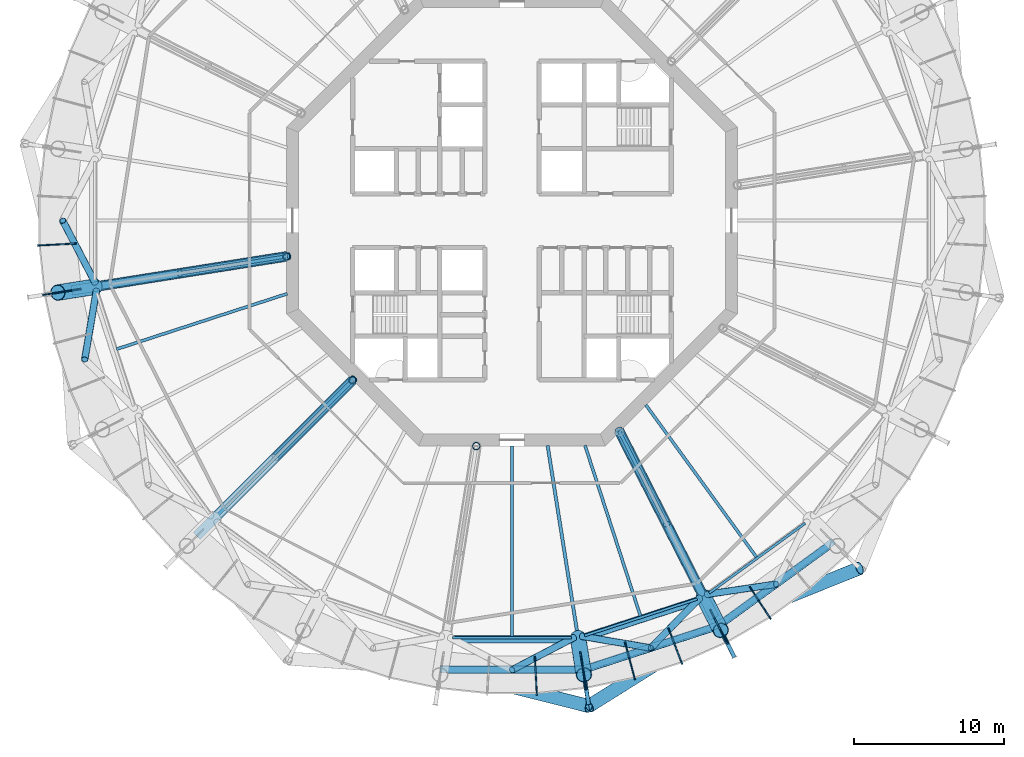
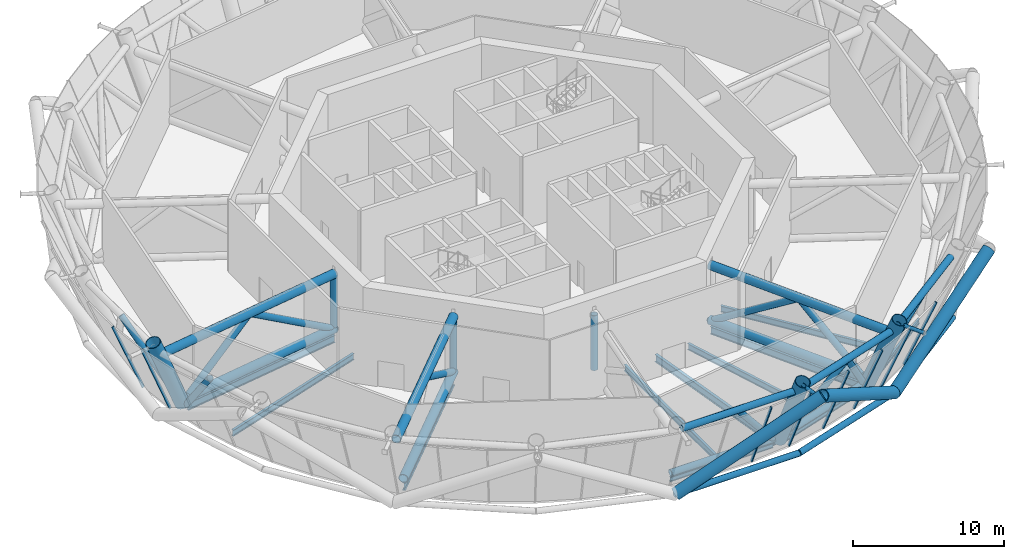
# One storey, part 2 of 20: 44 members, 11 beams, 5 elements without a shape of their own.
"""IFC4 building model written with IfcOpenShell, lengths in metres."""

import ifcopenshell
import ifcopenshell.guid

model = None  # the IFC model being written
_history = None  # IfcOwnerHistory: only IFC2X3 demands one
_inside = {}  # id of a spatial element -> (the spatial element, [elements in it])
_under = {}  # id of a project, library or spatial element -> (it, [spatial elements below it])
_declared = {}  # id of a project -> (the project, [libraries it declares])
_typed = {}  # id of a type object -> (the type object, [elements of that type])
_made_of = {}  # id of a material, layer set ... -> (it, [elements and type objects made of it])


def new_model(schema):
    """Start an empty IFC model of exactly this schema.

    Asked for "IFC4X3", IfcOpenShell would pick the latest addendum, in which some entities
    have other attributes; the version numbers below select the first issue.
    IFC2X3 requires an IfcOwnerHistory on every rooted entity: one is made here for all.
    """
    global model, _history
    if schema == "IFC4X3":
        model = ifcopenshell.file(schema_version=(4, 3, 0, 0))
    else:
        model = ifcopenshell.file(schema=schema)
    _inside.clear()
    _under.clear()
    _declared.clear()
    _typed.clear()
    _made_of.clear()
    _history = None
    if model.schema == "IFC2X3":
        org = make("IfcOrganization", Name="unknown")
        user = make(
            "IfcPersonAndOrganization",
            ThePerson=make("IfcPerson", FamilyName="unknown"),
            TheOrganization=org,
        )
        app = make(
            "IfcApplication",
            ApplicationDeveloper=org,
            Version="unknown",
            ApplicationFullName="unknown",
            ApplicationIdentifier="unknown",
        )
        _history = make(
            "IfcOwnerHistory",
            OwningUser=user,
            OwningApplication=app,
            ChangeAction="ADDED",
            CreationDate=0,
        )
    return model


def make(cls, **values):
    """One entity of the class cls with the attributes given. An attribute that is None is left unset."""
    return model.create_entity(
        cls, **{name: value for name, value in values.items() if value is not None}
    )


def rooted(cls, **values):
    """An entity with a GlobalId (a new one), such as an element, a storey or a relation."""
    return make(cls, GlobalId=ifcopenshell.guid.new(), OwnerHistory=_history, **values)


def si_unit(unit_type, name, prefix=None):
    """IfcSIUnit, for example si_unit("LENGTHUNIT", "METRE", prefix="MILLI")."""
    return make("IfcSIUnit", UnitType=unit_type, Prefix=prefix, Name=name)


def assignment(units):
    """IfcUnitAssignment: the units of a project."""
    return None if units is None else make("IfcUnitAssignment", Units=units)


def point(xyz):
    """IfcCartesianPoint."""
    return None if xyz is None else make("IfcCartesianPoint", Coordinates=xyz)


def direction(xyz):
    """IfcDirection."""
    return None if xyz is None else make("IfcDirection", DirectionRatios=xyz)


def frame(location, z_axis=None, x_axis=None):
    """IfcAxis2Placement3D, a coordinate frame: its origin and axes. An axis left out is left unset."""
    return make(
        "IfcAxis2Placement3D",
        Location=point(location),
        Axis=direction(z_axis),
        RefDirection=direction(x_axis),
    )


def frame_2d(location, x_axis=None):
    """IfcAxis2Placement2D, a coordinate frame in the plane: its origin and x axis."""
    return make(
        "IfcAxis2Placement2D", Location=point(location), RefDirection=direction(x_axis)
    )


def origin():
    """The frame at (0, 0, 0) with its axes left unset."""
    return frame((0.0, 0.0, 0.0))


def origin_2d():
    """The frame at (0, 0) in the plane with its x axis left unset."""
    return frame_2d((0.0, 0.0))


def place(relative_to, where):
    """IfcLocalPlacement: puts the frame where relative to a parent placement (None: the world)."""
    return make(
        "IfcLocalPlacement", PlacementRelTo=relative_to, RelativePlacement=where
    )


def context(
    kind, dimensions, precision=None, world=None, true_north=None, identifier=None
):
    """IfcGeometricRepresentationContext, for example the 3D "Model" context."""
    return make(
        "IfcGeometricRepresentationContext",
        ContextIdentifier=identifier,
        ContextType=kind,
        CoordinateSpaceDimension=dimensions,
        Precision=precision,
        WorldCoordinateSystem=world,
        TrueNorth=true_north,
    )


def subcontext(parent, identifier, kind, view, scale=None):
    """IfcGeometricRepresentationSubContext, for example "Body" below "Model"."""
    return make(
        "IfcGeometricRepresentationSubContext",
        ContextIdentifier=identifier,
        ContextType=kind,
        ParentContext=parent,
        TargetScale=scale,
        TargetView=view,
    )


def project(units=None, contexts=None):
    """IfcProject with its units and contexts."""
    return rooted(
        "IfcProject",
        Name="project",
        RepresentationContexts=contexts,
        UnitsInContext=assignment(units),
    )


def spatial(cls, under=None, at=None, **own):
    """A site, building, storey or space (cls), placed at a placement, below another one or the project."""
    s = rooted(cls, ObjectPlacement=at, **own)
    if under is not None:
        _under.setdefault(under.id(), (under, []))[1].append(s)
    return s


def profile(cls, at=None, kind="AREA", **sizes):
    """A parametric profile (cls). Its sizes go by their IFC names, for example OverallWidth=200.0."""
    return make(cls, ProfileType=kind, Position=at, **sizes)


def rectangle(**sizes):
    """IfcRectangleProfileDef."""
    return profile("IfcRectangleProfileDef", **sizes)


def circle(**sizes):
    """IfcCircleProfileDef."""
    return profile("IfcCircleProfileDef", **sizes)


def hollow_circle(**sizes):
    """IfcCircleHollowProfileDef."""
    return profile("IfcCircleHollowProfileDef", **sizes)


def i_section(**sizes):
    """IfcIShapeProfileDef."""
    return profile("IfcIShapeProfileDef", **sizes)


def extrude(swept, where, along, depth):
    """IfcExtrudedAreaSolid: the profile swept, set in the frame where, extruded along a direction by depth."""
    return make(
        "IfcExtrudedAreaSolid",
        SweptArea=swept,
        Position=where,
        ExtrudedDirection=direction(along),
        Depth=depth,
    )


def shape(context_of_items, identifier, shape_type, items):
    """IfcShapeRepresentation: the items that make up one representation, for example the "Body"."""
    return make(
        "IfcShapeRepresentation",
        ContextOfItems=context_of_items,
        RepresentationIdentifier=identifier,
        RepresentationType=shape_type,
        Items=items,
    )


def material(Name=None, Category=None):
    """IfcMaterial."""
    return make("IfcMaterial", Name=Name, Category=Category)


def layer(
    of_material, thickness, ventilated=None, Name=None, Category=None, Priority=None
):
    """IfcMaterialLayer: one layer of a wall or slab, of a material (None: an air gap)."""
    return make(
        "IfcMaterialLayer",
        Material=of_material,
        LayerThickness=thickness,
        IsVentilated=ventilated,
        Name=Name,
        Category=Category,
        Priority=Priority,
    )


def layer_set(layers, Name=None):
    """IfcMaterialLayerSet."""
    return make("IfcMaterialLayerSet", MaterialLayers=layers, LayerSetName=Name)


def material_profile(
    of_material, cross_section, Name=None, Category=None, Priority=None
):
    """IfcMaterialProfile: a cross section and its material."""
    return make(
        "IfcMaterialProfile",
        Name=Name,
        Material=of_material,
        Profile=cross_section,
        Priority=Priority,
        Category=Category,
    )


def profile_set(profiles, Name=None, composite=None):
    """IfcMaterialProfileSet."""
    return make(
        "IfcMaterialProfileSet",
        Name=Name,
        MaterialProfiles=profiles,
        CompositeProfile=composite,
    )


def made_of(thing, what):
    """Note that an element or type object is made of a material, layer set ...; save() writes the relation."""
    if what is not None:
        _made_of.setdefault(what.id(), (what, []))[1].append(thing)
    return thing


def type_object(cls, material=None, **own):
    """A type object (cls), such as IfcWallType, which elements share."""
    return made_of(rooted(cls, **own), material)


def element(
    cls,
    number,
    at=None,
    inside=None,
    cuts=None,
    type_object=None,
    material=None,
    context=None,
    identifier="Body",
    shape_type=None,
    held_by="IfcProductDefinitionShape",
    body=None,
    shapes=None,
    **own,
):
    """One element of the class cls, such as IfcWall. Its Tag is "e" and its number.

    at: its placement. inside: the storey or other place that contains it. cuts: it is an
    opening in that element (IfcRelVoidsElement). A single representation is given by context,
    identifier, shape_type and body (its items); several are given by shapes. held_by: the class
    of the entity that holds the representations. save() writes the other relations.
    """
    e = rooted(cls, Tag="e%d" % number, ObjectPlacement=at, **own)
    if body is not None:
        shapes = [shape(context, identifier, shape_type, body)]
    if shapes is not None:
        e.Representation = make(held_by, Representations=shapes)
    if inside is not None:
        _inside.setdefault(inside.id(), (inside, []))[1].append(e)
    if cuts is not None:
        rooted(
            "IfcRelVoidsElement", RelatingBuildingElement=cuts, RelatedOpeningElement=e
        )
    if type_object is not None:
        _typed.setdefault(type_object.id(), (type_object, []))[1].append(e)
    return made_of(e, material)


def aggregate(whole, parts):
    """IfcRelAggregates: a whole, such as a stair, and the parts it consists of."""
    return rooted("IfcRelAggregates", RelatingObject=whole, RelatedObjects=parts)


def save(model, path):
    """Write the relations noted so far, then the file.

    IfcRelAggregates (storeys below a building ...), IfcRelContainedInSpatialStructure (elements
    in a storey), IfcRelDefinesByType, IfcRelAssociatesMaterial and IfcRelDeclares: one each for
    every whole, place, type object, material and project.
    """
    for whole, parts in _under.values():
        aggregate(whole, parts)
    for where, things in _inside.values():
        rooted(
            "IfcRelContainedInSpatialStructure",
            RelatedElements=things,
            RelatingStructure=where,
        )
    for kind, things in _typed.values():
        rooted("IfcRelDefinesByType", RelatedObjects=things, RelatingType=kind)
    for what, things in _made_of.values():
        rooted("IfcRelAssociatesMaterial", RelatedObjects=things, RelatingMaterial=what)
    for by, libraries in _declared.values():
        rooted("IfcRelDeclares", RelatingContext=by, RelatedDefinitions=libraries)
    model.write(path)


model = new_model("IFC4")

# Units and contexts
model_context = context("Model", 3, precision=1e-05, world=origin(), true_north=direction((0.0, 1.0)))
body_context = subcontext(model_context, "Body", "Model", "MODEL_VIEW")
ifc_project = project(units=[si_unit("LENGTHUNIT", "METRE"), si_unit("AREAUNIT", "SQUARE_METRE"), si_unit("VOLUMEUNIT", "CUBIC_METRE"), si_unit("PLANEANGLEUNIT", "RADIAN"), si_unit("MASSUNIT", "GRAM", prefix="KILO")], contexts=[model_context])

# Site, building, storey
site_placement = place(None, origin())
site = spatial("IfcSite", under=ifc_project, at=site_placement, CompositionType="ELEMENT")
building_placement = place(site_placement, origin())
building = spatial("IfcBuilding", under=site, at=building_placement, Name="Entoto Ring Tower", CompositionType="ELEMENT")
storey_placement = place(building_placement, frame((0.0, 0.0, 330.0)))
storey = spatial("IfcBuildingStorey", under=building, at=storey_placement, Name="L76", CompositionType="ELEMENT", Elevation=330.0)

# Members
ifc_material_1 = material(Name="Steel S355", Category="steel")
ifc_material_profile_1 = material_profile(ifc_material_1, hollow_circle(Radius=0.449951171875, WallThickness=0.044921875, at=origin_2d()), Name="CHS 900 x 45")
ifc_material_2 = material(Name="Concrete C60/75", Category="concrete")
ifc_material_profile_2 = material_profile(ifc_material_2, circle(Radius=0.405029296875, at=origin_2d()), Name="Concrete C60/75 infill")
ifc_profile_set_1 = profile_set([ifc_material_profile_1, ifc_material_profile_2], Name="Steel S355")
member_type_1 = type_object("IfcMemberType", Name="Diagrid diagonal 900 x 45 concrete-filled tube", PredefinedType="BRACE", material=ifc_profile_set_1)
member_1_placement = place(storey_placement, frame((85.275634765625, 50.171875, 0.0), z_axis=(0.834845945044, -0.209498607785, 0.509060488919), x_axis=(0.243396217162, 0.969926946461, 0.0)))
element("IfcMember", 1, at=member_1_placement, inside=storey, type_object=member_type_1, Name="DG2 module 25 16", PredefinedType="BRACE", context=body_context, shape_type="SweptSolid", body=[
    extrude(hollow_circle(Radius=0.449951171875, WallThickness=0.044921875, at=origin_2d()), origin(), (0.0, 0.0, 1.0), 11.786376953125),
])
member_2_placement = place(storey_placement, frame((103.71044921875, 53.091552734375, 0.0), z_axis=(-0.729241692547, -0.457223459156, 0.509070979578), x_axis=(0.531207647366, -0.847241662915, 0.0)))
element("IfcMember", 2, at=member_2_placement, inside=storey, type_object=member_type_1, Name="DG2 module 25 17", PredefinedType="BRACE", context=body_context, shape_type="SweptSolid", body=[
    extrude(hollow_circle(Radius=0.449951171875, WallThickness=0.044921875, at=origin_2d()), origin(), (0.0, 0.0, 1.0), 11.7861328125),
])
member_3_placement = place(storey_placement, frame((103.71044921875, 53.091552734375, 0.0), z_axis=(0.798539539663, 0.321230348917, 0.50906351915), x_axis=(-0.373207322886, 0.927747969086, 0.0)))
element("IfcMember", 3, at=member_3_placement, inside=storey, type_object=member_type_1, Name="DG2 module 25 18", PredefinedType="BRACE", context=body_context, shape_type="SweptSolid", body=[
    extrude(hollow_circle(Radius=0.449951171875, WallThickness=0.044921875, at=origin_2d()), origin(), (0.0, 0.0, 1.0), 11.786376953125),
])
ifc_material_3 = material(Name="Steel S355", Category="steel")
ifc_material_profile_3 = material_profile(ifc_material_3, hollow_circle(Radius=0.136474609375, WallThickness=0.012451171875, at=origin_2d()), Name="CHS 273 x 12.5")
ifc_material_4 = material(Name="Concrete C60/75", Category="concrete")
ifc_material_profile_4 = material_profile(ifc_material_4, circle(Radius=0.1240234375, at=origin_2d()), Name="Concrete C60/75 infill")
ifc_profile_set_2 = profile_set([ifc_material_profile_3, ifc_material_profile_4], Name="Steel S355")
member_type_2 = type_object("IfcMemberType", Name="Diagrid node strut 273 x 12.5", PredefinedType="STRUT", material=ifc_profile_set_2)
for number, where, z_axis, x_axis, name in (
    (4, (94.84716796875, 49.395751953125, 5.71337890625), (0.156521685883, -0.987674522223, 0.0), (0.987674522223, 0.156521685883, 0.0), "DS2 strut ring 25 15"),
    (5, (104.067138671875, 52.3916015625, 5.71337890625), (0.453975618933, -0.891014106181, 0.0), (0.891014106181, 0.453975618933, 0.0), "DS2 strut ring 25 16"),
):
    element("IfcMember", number, at=place(storey_placement, frame(where, z_axis=z_axis, x_axis=x_axis)), inside=storey, type_object=member_type_2, Name=name, PredefinedType="STRUT", context=body_context, shape_type="SweptSolid", body=[
        extrude(hollow_circle(Radius=0.136474609375, WallThickness=0.012451171875, at=origin_2d()), origin(), (0.0, 0.0, 1.0), 1.614501953125),
    ])
ifc_material_5 = material(Name="Steel S355", Category="steel")
ifc_material_profile_5 = material_profile(ifc_material_5, hollow_circle(Radius=0.228515625, WallThickness=0.02001953125, at=origin_2d()), Name="CHS 457 x 20")
ifc_material_6 = material(Name="Concrete C60/75", Category="concrete")
ifc_material_profile_6 = material_profile(ifc_material_6, circle(Radius=0.20849609375, at=origin_2d()), Name="Concrete C60/75 infill")
ifc_profile_set_3 = profile_set([ifc_material_profile_5, ifc_material_profile_6], Name="Steel S355")
member_type_3 = type_object("IfcMemberType", Name="Diagrid ring beam 457 x 20", PredefinedType="CHORD", material=ifc_profile_set_3)
for number, where, z_axis, x_axis, name in (
    (6, (85.219482421875, 50.171875, 0.0), (1.0, 0.0, 0.0), (0.0, 1.0, 0.0), "DR3 ring 24 15"),
    (7, (94.6708984375, 50.154541015625, 0.0), (0.951061274764, 0.309002348931, 0.0), (-0.309002348931, 0.951061274764, 0.0), "DR3 ring 24 16"),
    (8, (103.6650390625, 53.05859375, 0.0), (0.809017564037, 0.587784468219, 0.0), (-0.587784468219, 0.809017564037, 0.0), "DR3 ring 24 17"),
):
    element("IfcMember", number, at=place(storey_placement, frame(where, z_axis=z_axis, x_axis=x_axis)), inside=storey, type_object=member_type_3, Name=name, PredefinedType="CHORD", context=body_context, shape_type="SweptSolid", body=[
        extrude(hollow_circle(Radius=0.228515625, WallThickness=0.02001953125, at=origin_2d()), origin(), (0.0, 0.0, 1.0), 9.56103515625),
    ])

# Beams
ifc_material_7 = material(Name="Steel S355", Category="steel")
ifc_material_profile_7 = material_profile(ifc_material_7, i_section(OverallWidth=0.169921875, OverallDepth=0.360107421875, WebThickness=0.008056640625, FlangeThickness=0.0126953125, FilletRadius=0.01806640625, at=origin_2d()), Name="IPE 360")
ifc_profile_set_4 = profile_set([ifc_material_profile_7], Name="Steel S355")
beam_type_1 = type_object("IfcBeamType", Name="Edge beam IPE 360", PredefinedType="SPANDREL", material=ifc_profile_set_4)
for number, where, z_axis, x_axis, name in (
    (9, (86.051513671875, 52.245849609375, -0.330078125), (1.0, 0.0, 0.0), (0.0, 1.0, 0.0), "Edge beam L76 15"),
    (10, (94.8212890625, 52.38427734375, -0.330078125), (0.951061101079, 0.309002883506, 0.0), (-0.309002883506, 0.951061101079, 0.0), "Edge beam L76 16"),
):
    element("IfcBeam", number, at=place(storey_placement, frame(where, z_axis=z_axis, x_axis=x_axis)), inside=storey, type_object=beam_type_1, Name=name, PredefinedType="SPANDREL", context=body_context, shape_type="SweptSolid", body=[
        extrude(i_section(OverallWidth=0.169921875, OverallDepth=0.360107421875, WebThickness=0.008056640625, FlangeThickness=0.0126953125, FilletRadius=0.01806640625, at=origin_2d()), origin(), (0.0, 0.0, 1.0), 7.89697265625),
    ])
beam_1_placement = place(storey_placement, frame((103.118896484375, 55.2255859375, -0.330078125), z_axis=(0.809015398073, 0.587787449408, 0.0), x_axis=(-0.587787449408, 0.809015398073, 0.0)))
element("IfcBeam", 11, at=beam_1_placement, inside=storey, type_object=beam_type_1, Name="Edge beam L76 17", PredefinedType="SPANDREL", context=body_context, shape_type="SweptSolid", body=[
    extrude(i_section(OverallWidth=0.169921875, OverallDepth=0.360107421875, WebThickness=0.008056640625, FlangeThickness=0.0126953125, FilletRadius=0.01806640625, at=origin_2d()), origin(), (0.0, 0.0, 1.0), 7.897216796875),
])

# Curtain wall, member
ifc_material_8 = material(Name="Anodised aluminium", Category="aluminium")
ifc_layer = layer(ifc_material_8, 0.10009765625)
ifc_layer_set = layer_set([ifc_layer], Name="Anodised aluminium")
curtain_wall_type = type_object("IfcCurtainWallType", Name="Louvre curtain wall system CW7", PredefinedType="NOTDEFINED", material=ifc_layer_set)
curtain_wall_1_placement = place(storey_placement, origin())
curtain_wall_1 = element("IfcCurtainWall", 12, at=curtain_wall_1_placement, inside=storey, type_object=curtain_wall_type, Name="CW7 L76-10", PredefinedType="NOTDEFINED")
ifc_material_9 = material(Name="Anodised aluminium", Category="aluminium")
ifc_material_profile_8 = material_profile(ifc_material_9, rectangle(XDim=0.080078125, YDim=0.199951171875, at=origin_2d()), Name="Mullion 80 x 200 mm anodised aluminium")
ifc_profile_set_5 = profile_set([ifc_material_profile_8], Name="Anodised aluminium")
member_type_4 = type_object("IfcMemberType", Name="Mullion 80 x 200 mm anodised aluminium", PredefinedType="MULLION", material=ifc_profile_set_5)
member_4_placement = place(storey_placement, frame((60.91552734375, 78.475830078125, 0.03857421875), z_axis=(-0.3840882574, -0.020143260577, 0.923076627145), x_axis=(0.052372380789, -0.998627625159, 0.0)))
member_4 = element("IfcMember", 13, at=member_4_placement, type_object=member_type_4, Name="MULLION L76-29", PredefinedType="MULLION", context=body_context, shape_type="SweptSolid", body=[
    extrude(rectangle(XDim=0.080078125, YDim=0.199951171875, at=origin_2d()), origin(), (0.0, 0.0, 1.0), 6.254150390625),
])
aggregate(curtain_wall_1, [member_4])

curtain_wall_2_placement = place(storey_placement, origin())
curtain_wall_2 = element("IfcCurtainWall", 14, at=curtain_wall_2_placement, inside=storey, type_object=curtain_wall_type, Name="CW7 L76-11", PredefinedType="NOTDEFINED")
member_5_placement = place(storey_placement, frame((61.234130859375, 75.44384765625, 0.03857421875), z_axis=(-0.379873712431, -0.060156755817, 0.923080238838), x_axis=(0.156410801358, -0.987692088264, 0.0)))
member_5 = element("IfcMember", 15, at=member_5_placement, type_object=member_type_4, Name="MULLION L76-30", PredefinedType="MULLION", context=body_context, shape_type="SweptSolid", body=[
    extrude(rectangle(XDim=0.080078125, YDim=0.199951171875, at=origin_2d()), origin(), (0.0, 0.0, 1.0), 6.25390625),
])
aggregate(curtain_wall_2, [member_5])

curtain_wall_3_placement = place(storey_placement, origin())
curtain_wall_3 = element("IfcCurtainWall", 16, at=curtain_wall_3_placement, inside=storey, type_object=curtain_wall_type, Name="CW7 L76-15", PredefinedType="NOTDEFINED")
member_6_placement = place(storey_placement, frame((91.524169921875, 50.91552734375, 0.03857421875), z_axis=(0.020143260577, -0.3840882574, 0.923076627145), x_axis=(0.998627625159, 0.052372380789, 0.0)))
member_6 = element("IfcMember", 17, at=member_6_placement, type_object=member_type_4, Name="MULLION L76-44", PredefinedType="MULLION", context=body_context, shape_type="SweptSolid", body=[
    extrude(rectangle(XDim=0.080078125, YDim=0.199951171875, at=origin_2d()), origin(), (0.0, 0.0, 1.0), 6.254150390625),
])
aggregate(curtain_wall_3, [member_6])

# Curtain wall, members
curtain_wall_4_placement = place(storey_placement, origin())
curtain_wall_4 = element("IfcCurtainWall", 18, at=curtain_wall_4_placement, inside=storey, type_object=curtain_wall_type, Name="CW7 L76-16", PredefinedType="NOTDEFINED")
member_7_placement = place(storey_placement, frame((94.55615234375, 51.234130859375, 0.03857421875), z_axis=(0.060156755817, -0.379873712431, 0.923080238838), x_axis=(0.987692088264, 0.156410801358, 0.0)))
member_7 = element("IfcMember", 19, at=member_7_placement, type_object=member_type_4, Name="MULLION L76-45", PredefinedType="MULLION", context=body_context, shape_type="SweptSolid", body=[
    extrude(rectangle(XDim=0.080078125, YDim=0.199951171875, at=origin_2d()), origin(), (0.0, 0.0, 1.0), 6.25390625),
])
member_8_placement = place(storey_placement, frame((97.537841796875, 51.867919921875, 0.03857421875), z_axis=(0.099544909119, -0.371517215719, 0.923074086676), x_axis=(0.965927664957, 0.258812183003, 0.0)))
member_8 = element("IfcMember", 20, at=member_8_placement, type_object=member_type_4, Name="MULLION L76-46", PredefinedType="MULLION", context=body_context, shape_type="SweptSolid", body=[
    extrude(rectangle(XDim=0.080078125, YDim=0.199951171875, at=origin_2d()), origin(), (0.0, 0.0, 1.0), 6.254150390625),
])
member_9_placement = place(storey_placement, frame((100.437255859375, 52.81005859375, 0.03857421875), z_axis=(0.137840906866, -0.359065607861, 0.92307733893), x_axis=(0.933573002991, 0.358387287841, 0.0)))
member_9 = element("IfcMember", 21, at=member_9_placement, type_object=member_type_4, Name="MULLION L76-47", PredefinedType="MULLION", context=body_context, shape_type="SweptSolid", body=[
    extrude(rectangle(XDim=0.080078125, YDim=0.199951171875, at=origin_2d()), origin(), (0.0, 0.0, 1.0), 6.25390625),
])
aggregate(curtain_wall_4, [member_7, member_8, member_9])

curtain_wall_5_placement = place(storey_placement, origin())
curtain_wall_5 = element("IfcCurtainWall", 22, at=curtain_wall_5_placement, inside=storey, type_object=curtain_wall_type, Name="CW7 L76-17", PredefinedType="NOTDEFINED")
member_10_placement = place(storey_placement, frame((103.22216796875, 54.050048828125, 0.03857421875), z_axis=(0.174613111757, -0.342707021712, 0.923072130698), x_axis=(0.891011611713, 0.453980514773, 0.0)))
member_10 = element("IfcMember", 23, at=member_10_placement, type_object=member_type_4, Name="MULLION L76-48", PredefinedType="MULLION", context=body_context, shape_type="SweptSolid", body=[
    extrude(rectangle(XDim=0.080078125, YDim=0.199951171875, at=origin_2d()), origin(), (0.0, 0.0, 1.0), 6.254150390625),
])
member_11_placement = place(storey_placement, frame((105.8623046875, 55.57421875, 0.03857421875), z_axis=(0.209474462982, -0.322565689083, 0.923077367064), x_axis=(0.838673115143, 0.544635112654, 0.0)))
member_11 = element("IfcMember", 24, at=member_11_placement, type_object=member_type_4, Name="MULLION L76-49", PredefinedType="MULLION", context=body_context, shape_type="SweptSolid", body=[
    extrude(rectangle(XDim=0.080078125, YDim=0.199951171875, at=origin_2d()), origin(), (0.0, 0.0, 1.0), 6.25390625),
])
aggregate(curtain_wall_5, [member_10, member_11])

# Members
ifc_material_10 = material(Name="Steel S355", Category="steel")
ifc_material_profile_9 = material_profile(ifc_material_10, hollow_circle(Radius=0.330078125, WallThickness=0.031982421875, at=origin_2d()), Name="CHS 660 x 32")
ifc_material_11 = material(Name="Concrete C60/75", Category="concrete")
ifc_material_profile_10 = material_profile(ifc_material_11, circle(Radius=0.298095703125, at=origin_2d()), Name="Concrete C60/75 infill")
ifc_profile_set_6 = profile_set([ifc_material_profile_9, ifc_material_profile_10], Name="Steel S355")
member_type_5 = type_object("IfcMemberType", Name="Outrigger chord 660 x 32", PredefinedType="CHORD", material=ifc_profile_set_6)
member_12_placement = place(storey_placement, frame((75.0712890625, 77.635498046875, 0.330078125), z_axis=(-0.987687724412, -0.156438355416, 0.0), x_axis=(0.156438355416, -0.987687724412, 0.0)))
element("IfcMember", 25, at=member_12_placement, inside=storey, type_object=member_type_5, Name="OR1C L76 bottom 06", PredefinedType="CHORD", context=body_context, shape_type="SweptSolid", body=[
    extrude(hollow_circle(Radius=0.330078125, WallThickness=0.031982421875, at=origin_2d()), origin(), (0.0, 0.0, 1.0), 12.7001953125),
])
member_13_placement = place(storey_placement, frame((75.0712890625, 77.635498046875, 4.76708984375), z_axis=(-0.987689658061, -0.156426146661, 0.0), x_axis=(0.156426146661, -0.987689658061, 0.0)))
element("IfcMember", 26, at=member_13_placement, inside=storey, type_object=member_type_5, Name="OR1C L76 top 06", PredefinedType="CHORD", context=body_context, shape_type="SweptSolid", body=[
    extrude(hollow_circle(Radius=0.330078125, WallThickness=0.031982421875, at=origin_2d()), origin(), (0.0, 0.0, 1.0), 14.54931640625),
])
member_14_placement = place(storey_placement, frame((79.407470703125, 69.407470703125, 0.330078125), z_axis=(-0.707106781187, -0.707106781187, 0.0), x_axis=(0.707106781187, -0.707106781187, 0.0)))
element("IfcMember", 27, at=member_14_placement, inside=storey, type_object=member_type_5, Name="OR1C L76 bottom 07", PredefinedType="CHORD", context=body_context, shape_type="SweptSolid", body=[
    extrude(hollow_circle(Radius=0.330078125, WallThickness=0.031982421875, at=origin_2d()), origin(), (0.0, 0.0, 1.0), 12.8349609375),
])
member_15_placement = place(storey_placement, frame((79.407470703125, 69.407470703125, 4.76708984375), z_axis=(-0.707106781187, -0.707106781187, 0.0), x_axis=(0.707106781187, -0.707106781187, 0.0)))
element("IfcMember", 28, at=member_15_placement, inside=storey, type_object=member_type_5, Name="OR1C L76 top 07", PredefinedType="CHORD", context=body_context, shape_type="SweptSolid", body=[
    extrude(hollow_circle(Radius=0.330078125, WallThickness=0.031982421875, at=origin_2d()), origin(), (0.0, 0.0, 1.0), 14.683837890625),
])
member_16_placement = place(storey_placement, frame((97.1025390625, 66.060546875, 0.330078125), z_axis=(0.453996999061, -0.891003212589, 0.0), x_axis=(0.891003212589, 0.453996999061, 0.0)))
element("IfcMember", 29, at=member_16_placement, inside=storey, type_object=member_type_5, Name="OR1C L76 bottom 09", PredefinedType="CHORD", context=body_context, shape_type="SweptSolid", body=[
    extrude(hollow_circle(Radius=0.330078125, WallThickness=0.031982421875, at=origin_2d()), origin(), (0.0, 0.0, 1.0), 12.170654296875),
])
member_17_placement = place(storey_placement, frame((97.1025390625, 66.060546875, 4.76708984375), z_axis=(0.453978476947, -0.891012650005, 0.0), x_axis=(0.891012650005, 0.453978476947, 0.0)))
element("IfcMember", 30, at=member_17_placement, inside=storey, type_object=member_type_5, Name="OR1C L76 top 09", PredefinedType="CHORD", context=body_context, shape_type="SweptSolid", body=[
    extrude(hollow_circle(Radius=0.330078125, WallThickness=0.031982421875, at=origin_2d()), origin(), (0.0, 0.0, 1.0), 14.019287109375),
])
ifc_material_12 = material(Name="Steel S355", Category="steel")
ifc_material_profile_11 = material_profile(ifc_material_12, hollow_circle(Radius=0.25390625, WallThickness=0.030029296875, at=origin_2d()), Name="CHS 508 x 30")
ifc_material_13 = material(Name="Concrete C60/75", Category="concrete")
ifc_material_profile_12 = material_profile(ifc_material_13, circle(Radius=0.22412109375, at=origin_2d()), Name="Concrete C60/75 infill")
ifc_profile_set_7 = profile_set([ifc_material_profile_11, ifc_material_profile_12], Name="Steel S355")
member_type_6 = type_object("IfcMemberType", Name="Outrigger diagonal 508 x 30", PredefinedType="BRACE", material=ifc_profile_set_7)
member_18_placement = place(storey_placement, frame((75.154296875, 77.648681640625, 0.2333984375), z_axis=(-0.840421364823, -0.133101606352, 0.525334076503), x_axis=(0.15642522315, -0.987689804322, 0.0)))
element("IfcMember", 31, at=member_18_placement, inside=storey, type_object=member_type_6, Name="OR2B L76 06 1", PredefinedType="BRACE", context=body_context, shape_type="SweptSolid", body=[
    extrude(hollow_circle(Radius=0.25390625, WallThickness=0.030029296875, at=origin_2d()), origin(), (0.0, 0.0, 1.0), 8.630126953125),
])
member_19_placement = place(storey_placement, frame((67.9013671875, 76.5, 4.76708984375), z_axis=(-0.759579836959, -0.120323704242, -0.639187513553), x_axis=(0.156457395223, -0.987684708538, 0.0)))
element("IfcMember", 32, at=member_19_placement, inside=storey, type_object=member_type_6, Name="OR2B L76 06 2", PredefinedType="BRACE", context=body_context, shape_type="SweptSolid", body=[
    extrude(hollow_circle(Radius=0.25390625, WallThickness=0.030029296875, at=origin_2d()), origin(), (0.0, 0.0, 1.0), 7.11572265625),
])
member_20_placement = place(storey_placement, frame((79.4990234375, 69.4990234375, 0.239013671875), z_axis=(-0.60381536457, -0.60381536457, 0.520397935255), x_axis=(0.707106781187, -0.707106781187, 0.0)))
element("IfcMember", 33, at=member_20_placement, inside=storey, type_object=member_type_6, Name="OR2B L76 07 1", PredefinedType="BRACE", context=body_context, shape_type="SweptSolid", body=[
    extrude(hollow_circle(Radius=0.25390625, WallThickness=0.030029296875, at=origin_2d()), origin(), (0.0, 0.0, 1.0), 8.701171875),
])
member_21_placement = place(storey_placement, frame((97.079833984375, 66.10498046875, 0.216064453125), z_axis=(0.381783852649, -0.749255528325, 0.541162861929), x_axis=(0.890997339759, 0.454008524746, 0.0)))
element("IfcMember", 34, at=member_21_placement, inside=storey, type_object=member_type_6, Name="OR2B L76 09 1", PredefinedType="BRACE", context=body_context, shape_type="SweptSolid", body=[
    extrude(hollow_circle(Radius=0.25390625, WallThickness=0.030029296875, at=origin_2d()), origin(), (0.0, 0.0, 1.0), 8.40966796875),
])
member_22_placement = place(storey_placement, frame((100.29052734375, 59.803955078125, 4.76708984375), z_axis=(0.340906756694, -0.669119236273, -0.660349930635), x_axis=(0.8910208105, 0.453962460183, 0.0)))
element("IfcMember", 35, at=member_22_placement, inside=storey, type_object=member_type_6, Name="OR2B L76 09 2", PredefinedType="BRACE", context=body_context, shape_type="SweptSolid", body=[
    extrude(hollow_circle(Radius=0.25390625, WallThickness=0.030029296875, at=origin_2d()), origin(), (0.0, 0.0, 1.0), 6.904296875),
])
ifc_material_14 = material(Name="Steel S355", Category="steel")
ifc_material_profile_13 = material_profile(ifc_material_14, hollow_circle(Radius=0.25390625, WallThickness=0.030029296875, at=origin_2d()), Name="CHS 508 x 30")
ifc_material_15 = material(Name="Concrete C60/75", Category="concrete")
ifc_material_profile_14 = material_profile(ifc_material_15, circle(Radius=0.22412109375, at=origin_2d()), Name="Concrete C60/75 infill")
ifc_profile_set_8 = profile_set([ifc_material_profile_13, ifc_material_profile_14], Name="Steel S355")
member_type_7 = type_object("IfcMemberType", Name="Outrigger post 508 x 30", PredefinedType="POST", material=ifc_profile_set_8)
for number, where, z_axis, x_axis, name in (
    (36, (75.0, 77.624267578125, 0.330078125), (0.0, 0.0, 1.0), (1.0, 0.0, 0.0), "OR3 L76 06"),
    (37, (79.393310546875, 69.393310546875, 0.330078125), (0.0, 0.0, 1.0), (1.0, 0.0, 0.0), "OR3 L76 07"),
    (38, (87.624267578125, 65.0, 0.330078125), (0.0, 0.0, 1.0), (1.0, 0.0, 0.0), "OR3 L76 08"),
):
    element("IfcMember", number, at=place(storey_placement, frame(where, z_axis=z_axis, x_axis=x_axis)), inside=storey, type_object=member_type_7, Name=name, PredefinedType="POST", context=body_context, shape_type="SweptSolid", body=[
        extrude(hollow_circle(Radius=0.25390625, WallThickness=0.030029296875, at=origin_2d()), origin(), (0.0, 0.0, 1.0), 4.43701171875),
    ])

# Beams
ifc_material_16 = material(Name="Steel S355", Category="steel")
ifc_material_profile_15 = material_profile(ifc_material_16, i_section(OverallWidth=0.219970703125, OverallDepth=0.60009765625, WebThickness=0.011962890625, FlangeThickness=0.01904296875, FilletRadius=0.02392578125, at=origin_2d()), Name="IPE 600")
ifc_profile_set_9 = profile_set([ifc_material_profile_15], Name="Steel S355")
beam_type_2 = type_object("IfcBeamType", Name="Primary floor beam IPE 600", PredefinedType="BEAM", material=ifc_profile_set_9)
beam_2_placement = place(storey_placement, frame((75.036865234375, 77.630126953125, -0.449951171875), z_axis=(-0.987687519796, -0.156439647277, 0.0), x_axis=(0.156439647277, -0.987687519796, 0.0)))
element("IfcBeam", 39, at=beam_2_placement, inside=storey, type_object=beam_type_2, Name="Primary L76 R11", PredefinedType="BEAM", context=body_context, shape_type="SweptSolid", body=[
    extrude(i_section(OverallWidth=0.219970703125, OverallDepth=0.60009765625, WebThickness=0.011962890625, FlangeThickness=0.01904296875, FilletRadius=0.02392578125, at=origin_2d()), origin(), (0.0, 0.0, 1.0), 12.50830078125),
])
beam_3_placement = place(storey_placement, frame((79.407470703125, 69.407470703125, -0.449951171875), z_axis=(-0.707106781187, -0.707106781187, 0.0), x_axis=(0.707106781187, -0.707106781187, 0.0)))
element("IfcBeam", 40, at=beam_3_placement, inside=storey, type_object=beam_type_2, Name="Primary L76 R13", PredefinedType="BEAM", context=body_context, shape_type="SweptSolid", body=[
    extrude(i_section(OverallWidth=0.219970703125, OverallDepth=0.60009765625, WebThickness=0.011962890625, FlangeThickness=0.01904296875, FilletRadius=0.02392578125, at=origin_2d()), origin(), (0.0, 0.0, 1.0), 12.677978515625),
])
beam_4_placement = place(storey_placement, frame((92.369873046875, 65.036865234375, -0.449951171875), z_axis=(0.156439647277, -0.987687519796, 0.0), x_axis=(0.987687519796, 0.156439647277, 0.0)))
element("IfcBeam", 41, at=beam_4_placement, inside=storey, type_object=beam_type_2, Name="Primary L76 R16", PredefinedType="BEAM", context=body_context, shape_type="SweptSolid", body=[
    extrude(i_section(OverallWidth=0.219970703125, OverallDepth=0.60009765625, WebThickness=0.011962890625, FlangeThickness=0.01904296875, FilletRadius=0.02392578125, at=origin_2d()), origin(), (0.0, 0.0, 1.0), 12.50830078125),
])
beam_5_placement = place(storey_placement, frame((97.135009765625, 65.996826171875, -0.449951171875), z_axis=(0.453988257638, -0.891007666593, 0.0), x_axis=(0.891007666593, 0.453988257638, 0.0)))
element("IfcBeam", 42, at=beam_5_placement, inside=storey, type_object=beam_type_2, Name="Primary L76 R17", PredefinedType="BEAM", context=body_context, shape_type="SweptSolid", body=[
    extrude(i_section(OverallWidth=0.219970703125, OverallDepth=0.60009765625, WebThickness=0.011962890625, FlangeThickness=0.01904296875, FilletRadius=0.02392578125, at=origin_2d()), origin(), (0.0, 0.0, 1.0), 11.941650390625),
])

# Members
ifc_material_17 = material(Name="Steel S355", Category="steel")
ifc_material_profile_16 = material_profile(ifc_material_17, hollow_circle(Radius=0.52490234375, WallThickness=0.0400390625, at=origin_2d()), Name="CHS 1050 x 40")
ifc_material_18 = material(Name="Concrete C60/75", Category="concrete")
ifc_material_profile_17 = material_profile(ifc_material_18, circle(Radius=0.485107421875, at=origin_2d()), Name="Concrete C60/75 infill")
ifc_profile_set_10 = profile_set([ifc_material_profile_16, ifc_material_profile_17], Name="Steel S355")
member_type_8 = type_object("IfcMemberType", Name="Ring column jog 1050 x 40 concrete-filled tube", PredefinedType="STRUT", material=ifc_profile_set_10)
for number, where, z_axis, x_axis, name in (
    (43, (62.245849609375, 75.604248046875, 0.0), (-0.379850189746, -0.060172056163, 0.923088921506), (0.156459060658, -0.987684444718, 0.0), "RJ5B R11"),
    (44, (94.395751953125, 52.245849609375, 0.0), (0.060172056163, -0.379850189746, 0.923088921506), (0.987684444718, 0.156459060658, 0.0), "RJ5B R16"),
    (45, (102.757080078125, 54.962646484375, 0.0), (0.174616520339, -0.342697597672, 0.923074984698), (0.891002976909, 0.453997461601, 0.0), "RJ5B R17"),
):
    element("IfcMember", number, at=place(storey_placement, frame(where, z_axis=z_axis, x_axis=x_axis)), inside=storey, type_object=member_type_8, Name=name, PredefinedType="STRUT", context=body_context, shape_type="SweptSolid", body=[
        extrude(hollow_circle(Radius=0.52490234375, WallThickness=0.0400390625, at=origin_2d()), origin(), (0.0, 0.0, 1.0), 6.5),
    ])
ifc_material_19 = material(Name="Steel S355", Category="steel")
ifc_material_profile_18 = material_profile(ifc_material_19, hollow_circle(Radius=0.25390625, WallThickness=0.030029296875, at=origin_2d()), Name="CHS 508 x 30")
ifc_material_20 = material(Name="Concrete C60/75", Category="concrete")
ifc_material_profile_19 = material_profile(ifc_material_20, circle(Radius=0.22412109375, at=origin_2d()), Name="Concrete C60/75 infill")
ifc_profile_set_11 = profile_set([ifc_material_profile_18, ifc_material_profile_19], Name="Steel S355")
member_type_9 = type_object("IfcMemberType", Name="Ring truss chord 508 x 30", PredefinedType="CHORD", material=ifc_profile_set_11)
member_23_placement = place(storey_placement, frame((86.0322265625, 52.141357421875, 0.25390625), z_axis=(1.0, 0.0, 0.0), x_axis=(0.0, 1.0, 0.0)))
element("IfcMember", 46, at=member_23_placement, inside=storey, type_object=member_type_9, Name="BT1 L76 bottom 15", PredefinedType="CHORD", context=body_context, shape_type="SweptSolid", body=[
    extrude(hollow_circle(Radius=0.25390625, WallThickness=0.030029296875, at=origin_2d()), origin(), (0.0, 0.0, 1.0), 7.935546875),
])
member_24_placement = place(storey_placement, frame((85.7099609375, 50.107666015625, 5.196044921875), z_axis=(1.0, 0.0, 0.0), x_axis=(0.0, 1.0, 0.0)))
element("IfcMember", 47, at=member_24_placement, inside=storey, type_object=member_type_9, Name="BT1 L76 top 15", PredefinedType="CHORD", context=body_context, shape_type="SweptSolid", body=[
    extrude(hollow_circle(Radius=0.25390625, WallThickness=0.030029296875, at=origin_2d()), origin(), (0.0, 0.0, 1.0), 8.580078125),
])
member_25_placement = place(storey_placement, frame((94.835205078125, 52.27880859375, 0.25390625), z_axis=(0.951058709537, 0.309010244188, 0.0), x_axis=(-0.309010244188, 0.951058709537, 0.0)))
element("IfcMember", 48, at=member_25_placement, inside=storey, type_object=member_type_9, Name="BT1 L76 bottom 16", PredefinedType="CHORD", context=body_context, shape_type="SweptSolid", body=[
    extrude(hollow_circle(Radius=0.25390625, WallThickness=0.030029296875, at=origin_2d()), origin(), (0.0, 0.0, 1.0), 7.935546875),
])
for number, where, z_axis, x_axis, name in (
    (49, (95.1572265625, 50.244873046875, 5.196044921875), (0.951057485731, 0.309014010742, 0.0), (-0.309014010742, 0.951057485731, 0.0), "BT1 L76 top 16"),
    (50, (104.099609375, 53.294921875, 5.196044921875), (0.80901776775, 0.587784187831, 0.0), (-0.587784187831, 0.80901776775, 0.0), "BT1 L76 top 17"),
):
    element("IfcMember", number, at=place(storey_placement, frame(where, z_axis=z_axis, x_axis=x_axis)), inside=storey, type_object=member_type_9, Name=name, PredefinedType="CHORD", context=body_context, shape_type="SweptSolid", body=[
        extrude(hollow_circle(Radius=0.25390625, WallThickness=0.030029296875, at=origin_2d()), origin(), (0.0, 0.0, 1.0), 8.580078125),
    ])
ifc_material_21 = material(Name="Steel S355", Category="steel")
ifc_material_profile_20 = material_profile(ifc_material_21, hollow_circle(Radius=0.228515625, WallThickness=0.02001953125, at=origin_2d()), Name="CHS 457 x 20")
ifc_material_22 = material(Name="Concrete C60/75", Category="concrete")
ifc_material_profile_21 = material_profile(ifc_material_22, circle(Radius=0.20849609375, at=origin_2d()), Name="Concrete C60/75 infill")
ifc_profile_set_12 = profile_set([ifc_material_profile_20, ifc_material_profile_21], Name="Steel S355")
member_type_10 = type_object("IfcMemberType", Name="Ring truss diagonal 457 x 20", PredefinedType="BRACE", material=ifc_profile_set_12)
for number, where, z_axis, x_axis, name in (
    (51, (60.107666015625, 80.0, 5.196044921875), (0.307758577328, -0.588243870997, -0.747832739531), (0.886059988459, 0.463570595327, 0.0), "BT2 L76 10 b"),
    (52, (62.34619140625, 75.3388671875, -0.0322265625), (-0.110943414019, -0.654555666471, 0.747829150526), (0.98593811697, -0.167110830005, 0.0), "BT2 L76 11 a"),
    (53, (90.0, 50.107666015625, 5.196044921875), (0.588243870997, 0.307758577328, -0.747832739531), (-0.463570595327, 0.886059988459, 0.0), "BT2 L76 15 b"),
    (54, (94.6611328125, 52.34619140625, -0.0322265625), (0.654555666471, -0.110943414019, 0.747829150526), (0.167110830005, 0.98593811697, 0.0), "BT2 L76 16 a"),
    (55, (99.2373046875, 51.570556640625, 5.196044921875), (0.464338307806, 0.474500182482, -0.747823182797), (-0.714718554082, 0.699412173508, 0.0), "BT2 L76 16 b"),
    (56, (102.978515625, 55.139892578125, -0.0322265625), (0.65679300794, 0.096800841026, 0.747831894143), (-0.145808963391, 0.989312764597, 0.0), "BT2 L76 17 a"),
):
    element("IfcMember", number, at=place(storey_placement, frame(where, z_axis=z_axis, x_axis=x_axis)), inside=storey, type_object=member_type_10, Name=name, PredefinedType="BRACE", context=body_context, shape_type="SweptSolid", body=[
        extrude(hollow_circle(Radius=0.228515625, WallThickness=0.02001953125, at=origin_2d()), origin(), (0.0, 0.0, 1.0), 6.9912109375),
    ])

# Beams
ifc_material_23 = material(Name="Steel S355", Category="steel")
ifc_material_profile_22 = material_profile(ifc_material_23, i_section(OverallWidth=0.199951171875, OverallDepth=0.5, WebThickness=0.01025390625, FlangeThickness=0.01611328125, FilletRadius=0.02099609375, at=origin_2d()), Name="IPE 500")
ifc_profile_set_13 = profile_set([ifc_material_profile_22], Name="Steel S355")
beam_type_3 = type_object("IfcBeamType", Name="Secondary floor beam IPE 500", PredefinedType="JOIST", material=ifc_profile_set_13)
beam_6_placement = place(storey_placement, frame((75.0498046875, 75.142333984375, -0.39990234375), z_axis=(-0.951056587506, -0.30901677521, 0.0), x_axis=(0.30901677521, -0.951056587506, 0.0)))
element("IfcBeam", 57, at=beam_6_placement, inside=storey, type_object=beam_type_3, Name="Secondary beam L76 11", PredefinedType="JOIST", context=body_context, shape_type="SweptSolid", body=[
    extrude(i_section(OverallWidth=0.199951171875, OverallDepth=0.5, WebThickness=0.01025390625, FlangeThickness=0.01611328125, FilletRadius=0.02099609375, at=origin_2d()), origin(), (0.0, 0.0, 1.0), 11.94970703125),
])
beam_7_placement = place(storey_placement, frame((90.0, 65.02001953125, -0.39990234375), z_axis=(0.0, -1.0, 0.0), x_axis=(1.0, 0.0, 0.0)))
element("IfcBeam", 58, at=beam_7_placement, inside=storey, type_object=beam_type_3, Name="Secondary beam L76 15", PredefinedType="JOIST", context=body_context, shape_type="SweptSolid", body=[
    extrude(i_section(OverallWidth=0.199951171875, OverallDepth=0.5, WebThickness=0.01025390625, FlangeThickness=0.01611328125, FilletRadius=0.02099609375, at=origin_2d()), origin(), (0.0, 0.0, 1.0), 12.68896484375),
])
beam_8_placement = place(storey_placement, frame((94.857666015625, 65.0498046875, -0.39990234375), z_axis=(0.30901677521, -0.951056587506, 0.0), x_axis=(0.951056587506, 0.30901677521, 0.0)))
element("IfcBeam", 59, at=beam_8_placement, inside=storey, type_object=beam_type_3, Name="Secondary beam L76 16", PredefinedType="JOIST", context=body_context, shape_type="SweptSolid", body=[
    extrude(i_section(OverallWidth=0.199951171875, OverallDepth=0.5, WebThickness=0.01025390625, FlangeThickness=0.01611328125, FilletRadius=0.02099609375, at=origin_2d()), origin(), (0.0, 0.0, 1.0), 11.94970703125),
])
beam_9_placement = place(storey_placement, frame((98.905517578125, 67.742431640625, -0.39990234375), z_axis=(0.587788946436, -0.80901431041, 0.0), x_axis=(0.80901431041, 0.587788946436, 0.0)))
element("IfcBeam", 60, at=beam_9_placement, inside=storey, type_object=beam_type_3, Name="Secondary beam L76 17", PredefinedType="JOIST", context=body_context, shape_type="SweptSolid", body=[
    extrude(i_section(OverallWidth=0.199951171875, OverallDepth=0.5, WebThickness=0.01025390625, FlangeThickness=0.01611328125, FilletRadius=0.02099609375, at=origin_2d()), origin(), (0.0, 0.0, 1.0), 12.51806640625),
])

save(model, "model.ifc")
